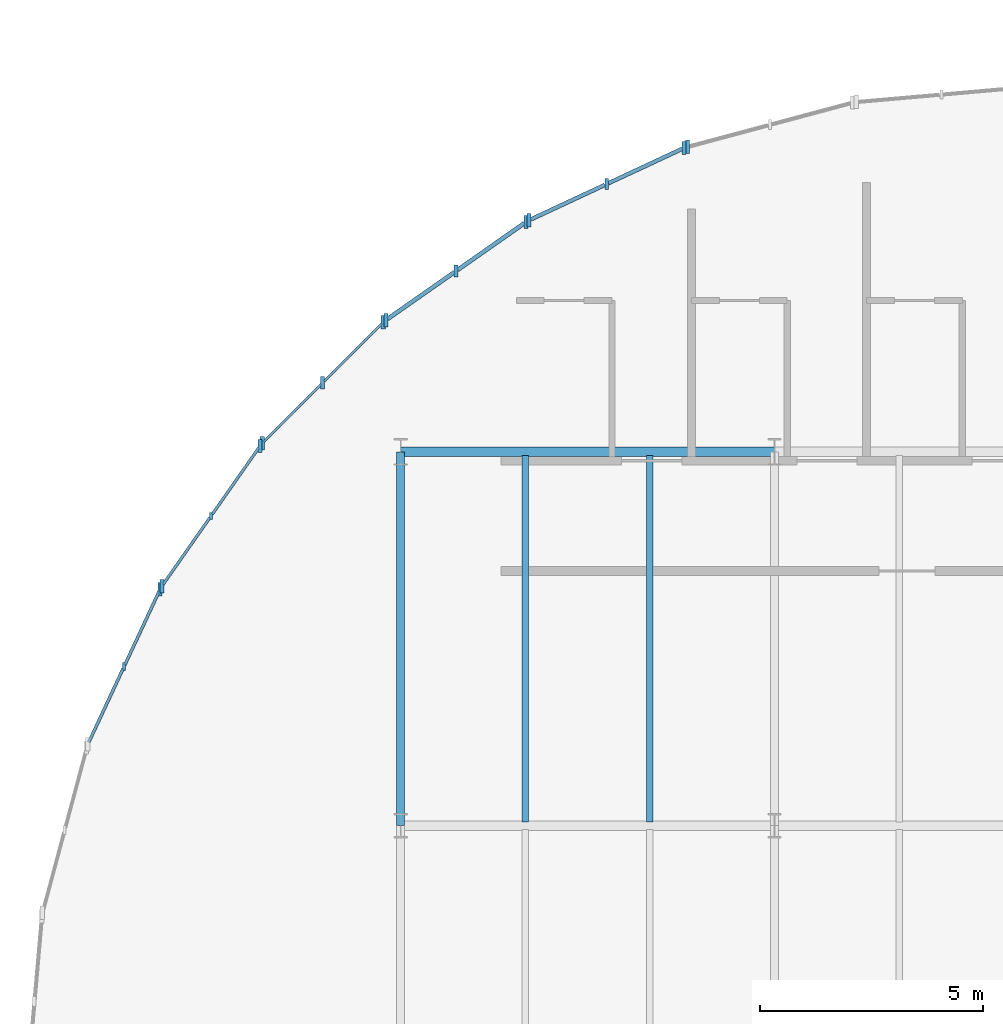
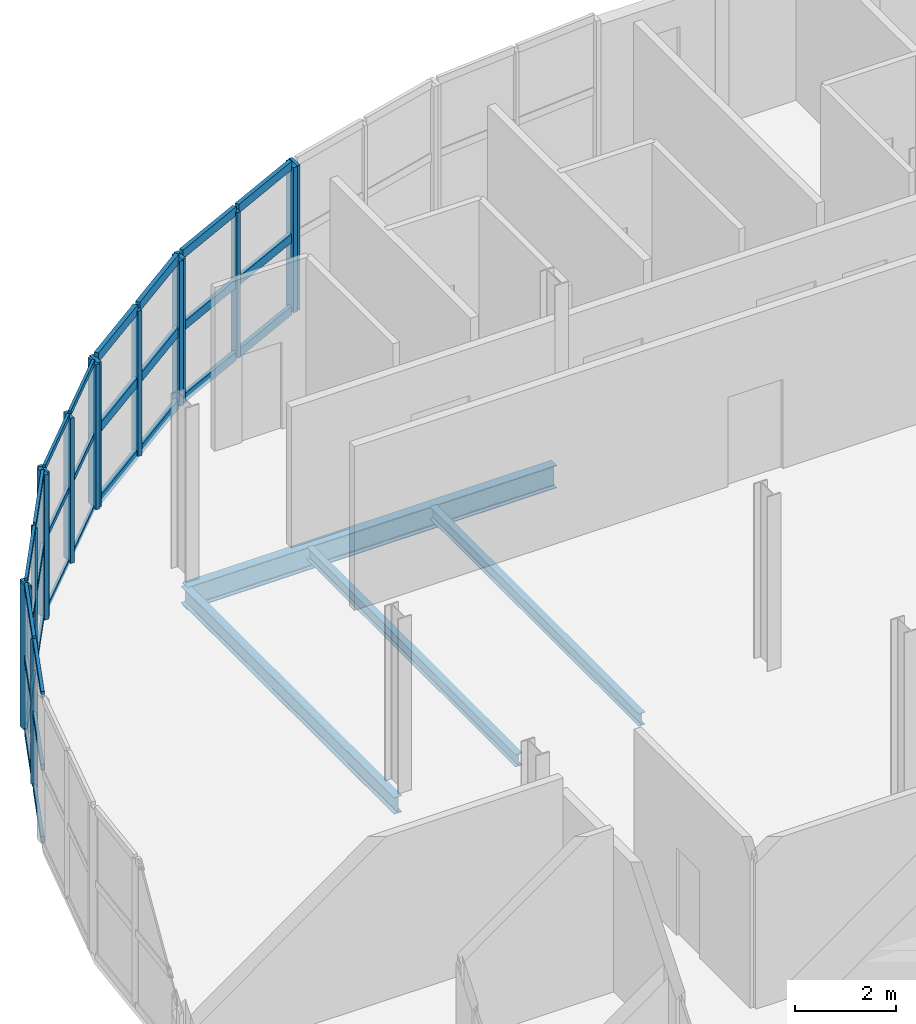
# One storey, part 15 of 45: 45 members, 4 beams, 6 elements without a shape of their own.
"""IFC4 building model written with IfcOpenShell, lengths in metres."""

import ifcopenshell
import ifcopenshell.guid

model = None  # the IFC model being written
_history = None  # IfcOwnerHistory: only IFC2X3 demands one
_inside = {}  # id of a spatial element -> (the spatial element, [elements in it])
_under = {}  # id of a project, library or spatial element -> (it, [spatial elements below it])
_declared = {}  # id of a project -> (the project, [libraries it declares])
_typed = {}  # id of a type object -> (the type object, [elements of that type])
_made_of = {}  # id of a material, layer set ... -> (it, [elements and type objects made of it])


def new_model(schema):
    """Start an empty IFC model of exactly this schema.

    Asked for "IFC4X3", IfcOpenShell would pick the latest addendum, in which some entities
    have other attributes; the version numbers below select the first issue.
    IFC2X3 requires an IfcOwnerHistory on every rooted entity: one is made here for all.
    """
    global model, _history
    if schema == "IFC4X3":
        model = ifcopenshell.file(schema_version=(4, 3, 0, 0))
    else:
        model = ifcopenshell.file(schema=schema)
    _inside.clear()
    _under.clear()
    _declared.clear()
    _typed.clear()
    _made_of.clear()
    _history = None
    if model.schema == "IFC2X3":
        org = make("IfcOrganization", Name="unknown")
        user = make(
            "IfcPersonAndOrganization",
            ThePerson=make("IfcPerson", FamilyName="unknown"),
            TheOrganization=org,
        )
        app = make(
            "IfcApplication",
            ApplicationDeveloper=org,
            Version="unknown",
            ApplicationFullName="unknown",
            ApplicationIdentifier="unknown",
        )
        _history = make(
            "IfcOwnerHistory",
            OwningUser=user,
            OwningApplication=app,
            ChangeAction="ADDED",
            CreationDate=0,
        )
    return model


def make(cls, **values):
    """One entity of the class cls with the attributes given. An attribute that is None is left unset."""
    return model.create_entity(
        cls, **{name: value for name, value in values.items() if value is not None}
    )


def rooted(cls, **values):
    """An entity with a GlobalId (a new one), such as an element, a storey or a relation."""
    return make(cls, GlobalId=ifcopenshell.guid.new(), OwnerHistory=_history, **values)


def si_unit(unit_type, name, prefix=None):
    """IfcSIUnit, for example si_unit("LENGTHUNIT", "METRE", prefix="MILLI")."""
    return make("IfcSIUnit", UnitType=unit_type, Prefix=prefix, Name=name)


def assignment(units):
    """IfcUnitAssignment: the units of a project."""
    return None if units is None else make("IfcUnitAssignment", Units=units)


def point(xyz):
    """IfcCartesianPoint."""
    return None if xyz is None else make("IfcCartesianPoint", Coordinates=xyz)


def direction(xyz):
    """IfcDirection."""
    return None if xyz is None else make("IfcDirection", DirectionRatios=xyz)


def frame(location, z_axis=None, x_axis=None):
    """IfcAxis2Placement3D, a coordinate frame: its origin and axes. An axis left out is left unset."""
    return make(
        "IfcAxis2Placement3D",
        Location=point(location),
        Axis=direction(z_axis),
        RefDirection=direction(x_axis),
    )


def frame_2d(location, x_axis=None):
    """IfcAxis2Placement2D, a coordinate frame in the plane: its origin and x axis."""
    return make(
        "IfcAxis2Placement2D", Location=point(location), RefDirection=direction(x_axis)
    )


def origin():
    """The frame at (0, 0, 0) with its axes left unset."""
    return frame((0.0, 0.0, 0.0))


def origin_2d():
    """The frame at (0, 0) in the plane with its x axis left unset."""
    return frame_2d((0.0, 0.0))


def place(relative_to, where):
    """IfcLocalPlacement: puts the frame where relative to a parent placement (None: the world)."""
    return make(
        "IfcLocalPlacement", PlacementRelTo=relative_to, RelativePlacement=where
    )


def context(
    kind, dimensions, precision=None, world=None, true_north=None, identifier=None
):
    """IfcGeometricRepresentationContext, for example the 3D "Model" context."""
    return make(
        "IfcGeometricRepresentationContext",
        ContextIdentifier=identifier,
        ContextType=kind,
        CoordinateSpaceDimension=dimensions,
        Precision=precision,
        WorldCoordinateSystem=world,
        TrueNorth=true_north,
    )


def subcontext(parent, identifier, kind, view, scale=None):
    """IfcGeometricRepresentationSubContext, for example "Body" below "Model"."""
    return make(
        "IfcGeometricRepresentationSubContext",
        ContextIdentifier=identifier,
        ContextType=kind,
        ParentContext=parent,
        TargetScale=scale,
        TargetView=view,
    )


def project(units=None, contexts=None):
    """IfcProject with its units and contexts."""
    return rooted(
        "IfcProject",
        Name="project",
        RepresentationContexts=contexts,
        UnitsInContext=assignment(units),
    )


def spatial(cls, under=None, at=None, **own):
    """A site, building, storey or space (cls), placed at a placement, below another one or the project."""
    s = rooted(cls, ObjectPlacement=at, **own)
    if under is not None:
        _under.setdefault(under.id(), (under, []))[1].append(s)
    return s


def profile(cls, at=None, kind="AREA", **sizes):
    """A parametric profile (cls). Its sizes go by their IFC names, for example OverallWidth=200.0."""
    return make(cls, ProfileType=kind, Position=at, **sizes)


def rectangle(**sizes):
    """IfcRectangleProfileDef."""
    return profile("IfcRectangleProfileDef", **sizes)


def i_section(**sizes):
    """IfcIShapeProfileDef."""
    return profile("IfcIShapeProfileDef", **sizes)


def extrude(swept, where, along, depth):
    """IfcExtrudedAreaSolid: the profile swept, set in the frame where, extruded along a direction by depth."""
    return make(
        "IfcExtrudedAreaSolid",
        SweptArea=swept,
        Position=where,
        ExtrudedDirection=direction(along),
        Depth=depth,
    )


def shape(context_of_items, identifier, shape_type, items):
    """IfcShapeRepresentation: the items that make up one representation, for example the "Body"."""
    return make(
        "IfcShapeRepresentation",
        ContextOfItems=context_of_items,
        RepresentationIdentifier=identifier,
        RepresentationType=shape_type,
        Items=items,
    )


def material(Name=None, Category=None):
    """IfcMaterial."""
    return make("IfcMaterial", Name=Name, Category=Category)


def layer(
    of_material, thickness, ventilated=None, Name=None, Category=None, Priority=None
):
    """IfcMaterialLayer: one layer of a wall or slab, of a material (None: an air gap)."""
    return make(
        "IfcMaterialLayer",
        Material=of_material,
        LayerThickness=thickness,
        IsVentilated=ventilated,
        Name=Name,
        Category=Category,
        Priority=Priority,
    )


def layer_set(layers, Name=None):
    """IfcMaterialLayerSet."""
    return make("IfcMaterialLayerSet", MaterialLayers=layers, LayerSetName=Name)


def material_profile(
    of_material, cross_section, Name=None, Category=None, Priority=None
):
    """IfcMaterialProfile: a cross section and its material."""
    return make(
        "IfcMaterialProfile",
        Name=Name,
        Material=of_material,
        Profile=cross_section,
        Priority=Priority,
        Category=Category,
    )


def profile_set(profiles, Name=None, composite=None):
    """IfcMaterialProfileSet."""
    return make(
        "IfcMaterialProfileSet",
        Name=Name,
        MaterialProfiles=profiles,
        CompositeProfile=composite,
    )


def made_of(thing, what):
    """Note that an element or type object is made of a material, layer set ...; save() writes the relation."""
    if what is not None:
        _made_of.setdefault(what.id(), (what, []))[1].append(thing)
    return thing


def type_object(cls, material=None, **own):
    """A type object (cls), such as IfcWallType, which elements share."""
    return made_of(rooted(cls, **own), material)


def element(
    cls,
    number,
    at=None,
    inside=None,
    cuts=None,
    type_object=None,
    material=None,
    context=None,
    identifier="Body",
    shape_type=None,
    held_by="IfcProductDefinitionShape",
    body=None,
    shapes=None,
    **own,
):
    """One element of the class cls, such as IfcWall. Its Tag is "e" and its number.

    at: its placement. inside: the storey or other place that contains it. cuts: it is an
    opening in that element (IfcRelVoidsElement). A single representation is given by context,
    identifier, shape_type and body (its items); several are given by shapes. held_by: the class
    of the entity that holds the representations. save() writes the other relations.
    """
    e = rooted(cls, Tag="e%d" % number, ObjectPlacement=at, **own)
    if body is not None:
        shapes = [shape(context, identifier, shape_type, body)]
    if shapes is not None:
        e.Representation = make(held_by, Representations=shapes)
    if inside is not None:
        _inside.setdefault(inside.id(), (inside, []))[1].append(e)
    if cuts is not None:
        rooted(
            "IfcRelVoidsElement", RelatingBuildingElement=cuts, RelatedOpeningElement=e
        )
    if type_object is not None:
        _typed.setdefault(type_object.id(), (type_object, []))[1].append(e)
    return made_of(e, material)


def aggregate(whole, parts):
    """IfcRelAggregates: a whole, such as a stair, and the parts it consists of."""
    return rooted("IfcRelAggregates", RelatingObject=whole, RelatedObjects=parts)


def save(model, path):
    """Write the relations noted so far, then the file.

    IfcRelAggregates (storeys below a building ...), IfcRelContainedInSpatialStructure (elements
    in a storey), IfcRelDefinesByType, IfcRelAssociatesMaterial and IfcRelDeclares: one each for
    every whole, place, type object, material and project.
    """
    for whole, parts in _under.values():
        aggregate(whole, parts)
    for where, things in _inside.values():
        rooted(
            "IfcRelContainedInSpatialStructure",
            RelatedElements=things,
            RelatingStructure=where,
        )
    for kind, things in _typed.values():
        rooted("IfcRelDefinesByType", RelatedObjects=things, RelatingType=kind)
    for what, things in _made_of.values():
        rooted("IfcRelAssociatesMaterial", RelatedObjects=things, RelatingMaterial=what)
    for by, libraries in _declared.values():
        rooted("IfcRelDeclares", RelatingContext=by, RelatedDefinitions=libraries)
    model.write(path)


model = new_model("IFC4")

# Units and contexts
model_context = context("Model", 3, precision=1e-05, world=origin(), true_north=direction((0.0, 1.0)))
body_context = subcontext(model_context, "Body", "Model", "MODEL_VIEW")
ifc_project = project(units=[si_unit("LENGTHUNIT", "METRE"), si_unit("AREAUNIT", "SQUARE_METRE"), si_unit("VOLUMEUNIT", "CUBIC_METRE"), si_unit("PLANEANGLEUNIT", "RADIAN"), si_unit("MASSUNIT", "GRAM", prefix="KILO")], contexts=[model_context])

# Site, building, storey
site_placement = place(None, origin())
site = spatial("IfcSite", under=ifc_project, at=site_placement, CompositionType="ELEMENT")
building_placement = place(site_placement, origin())
building = spatial("IfcBuilding", under=site, at=building_placement, Name="Sefraquen Railside Congress Hotel", CompositionType="ELEMENT")
storey_placement = place(building_placement, frame((0.0, 0.0, 20.39990234375)))
storey = spatial("IfcBuildingStorey", under=building, at=storey_placement, Name="L04", CompositionType="ELEMENT", Elevation=20.39990234375)

# Beams
ifc_material_1 = material(Name="Steel S355JR", Category="steel")
ifc_material_profile_1 = material_profile(ifc_material_1, i_section(OverallWidth=0.179931640625, OverallDepth=0.39990234375, WebThickness=0.008544921875, FlangeThickness=0.013427734375, FilletRadius=0.02099609375, at=origin_2d()), Name="IPE 400")
ifc_profile_set_1 = profile_set([ifc_material_profile_1], Name="Steel S355JR")
beam_type_1 = type_object("IfcBeamType", Name="TB-BM-400I", PredefinedType="BEAM", material=ifc_profile_set_1)
beam_1_placement = place(storey_placement, frame((8.39990234375, 101.39990234375, -0.47998046875), z_axis=(0.0, 1.0, 0.0), x_axis=(-1.0, 0.0, 0.0)))
element("IfcBeam", 1, at=beam_1_placement, inside=storey, type_object=beam_type_1, Name="Floor beam BM-L04-1349", PredefinedType="BEAM", context=body_context, shape_type="SweptSolid", body=[
    extrude(i_section(OverallWidth=0.179931640625, OverallDepth=0.39990234375, WebThickness=0.008544921875, FlangeThickness=0.013427734375, FilletRadius=0.02099609375, at=origin_2d()), origin(), (0.0, 0.0, 1.0), 8.400146484375),
])
ifc_material_profile_2 = material_profile(ifc_material_1, i_section(OverallWidth=0.2099609375, OverallDepth=0.550048828125, WebThickness=0.010986328125, FlangeThickness=0.01708984375, FilletRadius=0.02392578125, at=origin_2d()), Name="IPE 550")
ifc_profile_set_2 = profile_set([ifc_material_profile_2], Name="Steel S355JR")
beam_type_2 = type_object("IfcBeamType", Name="TB-GIR-550", PredefinedType="T_BEAM", material=ifc_profile_set_2)
beam_2_placement = place(storey_placement, frame((8.39990234375, 109.800048828125, -0.554931640625), z_axis=(1.0, 0.0, 0.0), x_axis=(0.0, 1.0, 0.0)))
element("IfcBeam", 2, at=beam_2_placement, inside=storey, type_object=beam_type_2, Name="Primary girder BM-L04-1315", PredefinedType="T_BEAM", context=body_context, shape_type="SweptSolid", body=[
    extrude(i_section(OverallWidth=0.2099609375, OverallDepth=0.550048828125, WebThickness=0.010986328125, FlangeThickness=0.01708984375, FilletRadius=0.02392578125, at=origin_2d()), origin(), (0.0, 0.0, 1.0), 8.400146484375),
])
ifc_material_profile_3 = material_profile(ifc_material_1, i_section(OverallWidth=0.14990234375, OverallDepth=0.300048828125, WebThickness=0.007080078125, FlangeThickness=0.0107421875, FilletRadius=0.014892578125, at=origin_2d()), Name="IPE 300")
ifc_profile_set_3 = profile_set([ifc_material_profile_3], Name="Steel S355JR")
beam_type_3 = type_object("IfcBeamType", Name="TB-JST-300", PredefinedType="JOIST", material=ifc_profile_set_3)
for number, where, z_axis, x_axis, name in (
    (3, (11.199951171875, 101.485107421875, -0.429931640625), (0.0, 1.0, 0.0), (-1.0, 0.0, 0.0), "Composite floor joist BM-L04-J0834"),
    (4, (14.0, 101.485107421875, -0.429931640625), (0.0, 1.0, 0.0), (-1.0, 0.0, 0.0), "Composite floor joist BM-L04-J0835"),
):
    element("IfcBeam", number, at=place(storey_placement, frame(where, z_axis=z_axis, x_axis=x_axis)), inside=storey, type_object=beam_type_3, Name=name, PredefinedType="JOIST", context=body_context, shape_type="SweptSolid", body=[
        extrude(i_section(OverallWidth=0.14990234375, OverallDepth=0.300048828125, WebThickness=0.007080078125, FlangeThickness=0.0107421875, FilletRadius=0.014892578125, at=origin_2d()), origin(), (0.0, 0.0, 1.0), 8.22998046875),
    ])

# Curtain wall, member
ifc_material_2 = material(Name="Thermally broken anodised aluminium and low-E double glazing", Category="aluminium")
ifc_layer_1 = layer(ifc_material_2, 0.199951171875)
ifc_layer_set_1 = layer_set([ifc_layer_1], Name="Thermally broken anodised aluminium and low-E double glazing")
curtain_wall_type_1 = type_object("IfcCurtainWallType", Name="TCW-UCW-10", PredefinedType="USERDEFINED", material=ifc_layer_set_1)
curtain_wall_1_placement = place(storey_placement, origin())
curtain_wall_1 = element("IfcCurtainWall", 5, at=curtain_wall_1_placement, inside=storey, type_object=curtain_wall_type_1, Name="Rotunda L04 curved curtain wall facet 6", ObjectType="UNITISED CURTAIN WALL", PredefinedType="USERDEFINED")
ifc_material_3 = material(Name="Thermally broken anodised aluminium 6063-T6", Category="aluminium")
ifc_material_profile_4 = material_profile(ifc_material_3, rectangle(XDim=0.06005859375, YDim=0.159912109375, at=origin_2d()), Name="CWM 60x160")
ifc_profile_set_4 = profile_set([ifc_material_profile_4], Name="Thermally broken anodised aluminium 6063-T6")
member_type_1 = type_object("IfcMemberType", Name="TM-CWM-01", PredefinedType="MULLION", material=ifc_profile_set_4)
member_1_placement = place(storey_placement, frame((4.13916015625, 108.356201171875, 0.0), z_axis=(0.0, 0.0, 1.0), x_axis=(1.0, 0.0, 0.0)))
member_1 = element("IfcMember", 6, at=member_1_placement, type_object=member_type_1, Name="CW-L04-ROT-06 mullion 2", PredefinedType="MULLION", context=body_context, shape_type="SweptSolid", body=[
    extrude(rectangle(XDim=0.06005859375, YDim=0.159912109375, at=origin_2d()), origin(), (0.0, 0.0, 1.0), 3.489990234375),
])

ifc_layer_2 = layer(ifc_material_2, 0.199951171875)
ifc_layer_set_2 = layer_set([ifc_layer_2], Name="Thermally broken anodised aluminium and low-E double glazing")
curtain_wall_type_2 = type_object("IfcCurtainWallType", Name="TCW-UCW-11", PredefinedType="USERDEFINED", material=ifc_layer_set_2)
curtain_wall_2_placement = place(storey_placement, origin())
curtain_wall_2 = element("IfcCurtainWall", 7, at=curtain_wall_2_placement, inside=storey, type_object=curtain_wall_type_2, Name="Rotunda L04 curved curtain wall facet 7", ObjectType="UNITISED CURTAIN WALL", PredefinedType="USERDEFINED")
ifc_material_profile_5 = material_profile(ifc_material_3, rectangle(XDim=0.06494140625, YDim=0.179931640625, at=origin_2d()), Name="CWM 65x180")
ifc_profile_set_5 = profile_set([ifc_material_profile_5], Name="Thermally broken anodised aluminium 6063-T6")
member_type_2 = type_object("IfcMemberType", Name="TM-CWM-02", PredefinedType="MULLION", material=ifc_profile_set_5)
member_2_placement = place(storey_placement, frame((2.185546875, 104.972900390625, 0.0), z_axis=(0.0, 0.0, 1.0), x_axis=(1.0, 0.0, 0.0)))
member_2 = element("IfcMember", 8, at=member_2_placement, type_object=member_type_2, Name="CW-L04-ROT-07 mullion 2", PredefinedType="MULLION", context=body_context, shape_type="SweptSolid", body=[
    extrude(rectangle(XDim=0.06494140625, YDim=0.179931640625, at=origin_2d()), origin(), (0.0, 0.0, 1.0), 3.489990234375),
])

ifc_layer_3 = layer(ifc_material_2, 0.199951171875)
ifc_layer_set_3 = layer_set([ifc_layer_3], Name="Thermally broken anodised aluminium and low-E double glazing")
curtain_wall_type_3 = type_object("IfcCurtainWallType", Name="TCW-UCW-07", PredefinedType="USERDEFINED", material=ifc_layer_set_3)
curtain_wall_3_placement = place(storey_placement, origin())
curtain_wall_3 = element("IfcCurtainWall", 9, at=curtain_wall_3_placement, inside=storey, type_object=curtain_wall_type_3, Name="Rotunda L04 curved curtain wall facet 3", ObjectType="UNITISED CURTAIN WALL", PredefinedType="USERDEFINED")
ifc_material_profile_6 = material_profile(ifc_material_3, rectangle(XDim=0.080078125, YDim=0.239990234375, at=origin_2d()), Name="CWM 80x240")
ifc_profile_set_6 = profile_set([ifc_material_profile_6], Name="Thermally broken anodised aluminium 6063-T6")
member_type_3 = type_object("IfcMemberType", Name="TM-CWM-05", PredefinedType="MULLION", material=ifc_profile_set_6)
member_3_placement = place(storey_placement, frame((13.02734375, 115.814208984375, 0.0), z_axis=(0.0, 0.0, 1.0), x_axis=(1.0, 0.0, 0.0)))
member_3 = element("IfcMember", 10, at=member_3_placement, type_object=member_type_3, Name="CW-L04-ROT-03 mullion 2", PredefinedType="MULLION", context=body_context, shape_type="SweptSolid", body=[
    extrude(rectangle(XDim=0.080078125, YDim=0.239990234375, at=origin_2d()), origin(), (0.0, 0.0, 1.0), 3.489990234375),
])

ifc_layer_4 = layer(ifc_material_2, 0.199951171875)
ifc_layer_set_4 = layer_set([ifc_layer_4], Name="Thermally broken anodised aluminium and low-E double glazing")
curtain_wall_type_4 = type_object("IfcCurtainWallType", Name="TCW-UCW-08", PredefinedType="USERDEFINED", material=ifc_layer_set_4)
curtain_wall_4_placement = place(storey_placement, origin())
curtain_wall_4 = element("IfcCurtainWall", 11, at=curtain_wall_4_placement, inside=storey, type_object=curtain_wall_type_4, Name="Rotunda L04 curved curtain wall facet 4", ObjectType="UNITISED CURTAIN WALL", PredefinedType="USERDEFINED")
ifc_material_profile_7 = material_profile(ifc_material_3, rectangle(XDim=0.0849609375, YDim=0.260009765625, at=origin_2d()), Name="CWM 85x260")
ifc_profile_set_7 = profile_set([ifc_material_profile_7], Name="Thermally broken anodised aluminium 6063-T6")
member_type_4 = type_object("IfcMemberType", Name="TM-CWM-06", PredefinedType="MULLION", material=ifc_profile_set_7)
member_4_placement = place(storey_placement, frame((9.643798828125, 113.86083984375, 0.0), z_axis=(0.0, 0.0, 1.0), x_axis=(1.0, 0.0, 0.0)))
member_4 = element("IfcMember", 12, at=member_4_placement, type_object=member_type_4, Name="CW-L04-ROT-04 mullion 2", PredefinedType="MULLION", context=body_context, shape_type="SweptSolid", body=[
    extrude(rectangle(XDim=0.0849609375, YDim=0.260009765625, at=origin_2d()), origin(), (0.0, 0.0, 1.0), 3.489990234375),
])

ifc_layer_5 = layer(ifc_material_2, 0.199951171875)
ifc_layer_set_5 = layer_set([ifc_layer_5], Name="Thermally broken anodised aluminium and low-E double glazing")
curtain_wall_type_5 = type_object("IfcCurtainWallType", Name="TCW-UCW-09", PredefinedType="USERDEFINED", material=ifc_layer_set_5)
curtain_wall_5_placement = place(storey_placement, origin())
curtain_wall_5 = element("IfcCurtainWall", 13, at=curtain_wall_5_placement, inside=storey, type_object=curtain_wall_type_5, Name="Rotunda L04 curved curtain wall facet 5", ObjectType="UNITISED CURTAIN WALL", PredefinedType="USERDEFINED")
ifc_material_profile_8 = material_profile(ifc_material_3, rectangle(XDim=0.090087890625, YDim=0.280029296875, at=origin_2d()), Name="CWM 90x280")
ifc_profile_set_8 = profile_set([ifc_material_profile_8], Name="Thermally broken anodised aluminium 6063-T6")
member_type_5 = type_object("IfcMemberType", Name="TM-CWM-07", PredefinedType="MULLION", material=ifc_profile_set_8)
member_5_placement = place(storey_placement, frame((6.650634765625, 111.349365234375, 0.0), z_axis=(0.0, 0.0, 1.0), x_axis=(1.0, 0.0, 0.0)))
member_5 = element("IfcMember", 14, at=member_5_placement, type_object=member_type_5, Name="CW-L04-ROT-05 mullion 2", PredefinedType="MULLION", context=body_context, shape_type="SweptSolid", body=[
    extrude(rectangle(XDim=0.090087890625, YDim=0.280029296875, at=origin_2d()), origin(), (0.0, 0.0, 1.0), 3.489990234375),
])

ifc_layer_6 = layer(ifc_material_2, 0.199951171875)
ifc_layer_set_6 = layer_set([ifc_layer_6], Name="Thermally broken anodised aluminium and low-E double glazing")
curtain_wall_type_6 = type_object("IfcCurtainWallType", Name="TCW-UCW-06", PredefinedType="USERDEFINED", material=ifc_layer_set_6)
curtain_wall_6_placement = place(storey_placement, origin())
curtain_wall_6 = element("IfcCurtainWall", 15, at=curtain_wall_6_placement, inside=storey, type_object=curtain_wall_type_6, Name="Rotunda L04 curved curtain wall facet 2", ObjectType="UNITISED CURTAIN WALL", PredefinedType="USERDEFINED")
ifc_material_profile_9 = material_profile(ifc_material_3, rectangle(XDim=0.094970703125, YDim=0.300048828125, at=origin_2d()), Name="CWM 95x300")
ifc_profile_set_9 = profile_set([ifc_material_profile_9], Name="Thermally broken anodised aluminium 6063-T6")
member_type_6 = type_object("IfcMemberType", Name="TM-CWM-08", PredefinedType="MULLION", material=ifc_profile_set_9)
member_6_placement = place(storey_placement, frame((14.843017578125, 116.653564453125, 0.0), z_axis=(0.0, 0.0, 1.0), x_axis=(1.0, 0.0, 0.0)))
member_6 = element("IfcMember", 16, at=member_6_placement, type_object=member_type_6, Name="CW-L04-ROT-02 mullion 3", PredefinedType="MULLION", context=body_context, shape_type="SweptSolid", body=[
    extrude(rectangle(XDim=0.094970703125, YDim=0.300048828125, at=origin_2d()), origin(), (0.0, 0.0, 1.0), 3.489990234375),
])
aggregate(curtain_wall_6, [member_6])

# Member
member_7_placement = place(storey_placement, frame((14.768310546875, 116.626220703125, 0.0), z_axis=(0.0, 0.0, 1.0), x_axis=(1.0, 0.0, 0.0)))
member_7 = element("IfcMember", 17, at=member_7_placement, type_object=member_type_6, Name="CW-L04-ROT-03 mullion 1", PredefinedType="MULLION", context=body_context, shape_type="SweptSolid", body=[
    extrude(rectangle(XDim=0.094970703125, YDim=0.300048828125, at=origin_2d()), origin(), (0.0, 0.0, 1.0), 3.489990234375),
])

member_8_placement = place(storey_placement, frame((11.286376953125, 115.00244140625, 0.0), z_axis=(0.0, 0.0, 1.0), x_axis=(1.0, 0.0, 0.0)))
member_8 = element("IfcMember", 18, at=member_8_placement, type_object=member_type_6, Name="CW-L04-ROT-03 mullion 3", PredefinedType="MULLION", context=body_context, shape_type="SweptSolid", body=[
    extrude(rectangle(XDim=0.094970703125, YDim=0.300048828125, at=origin_2d()), origin(), (0.0, 0.0, 1.0), 3.489990234375),
])

member_9_placement = place(storey_placement, frame((11.21728515625, 114.962646484375, 0.0), z_axis=(0.0, 0.0, 1.0), x_axis=(1.0, 0.0, 0.0)))
member_9 = element("IfcMember", 19, at=member_9_placement, type_object=member_type_6, Name="CW-L04-ROT-04 mullion 1", PredefinedType="MULLION", context=body_context, shape_type="SweptSolid", body=[
    extrude(rectangle(XDim=0.094970703125, YDim=0.300048828125, at=origin_2d()), origin(), (0.0, 0.0, 1.0), 3.489990234375),
])

member_10_placement = place(storey_placement, frame((8.070068359375, 112.7587890625, 0.0), z_axis=(0.0, 0.0, 1.0), x_axis=(1.0, 0.0, 0.0)))
member_10 = element("IfcMember", 20, at=member_10_placement, type_object=member_type_6, Name="CW-L04-ROT-04 mullion 3", PredefinedType="MULLION", context=body_context, shape_type="SweptSolid", body=[
    extrude(rectangle(XDim=0.094970703125, YDim=0.300048828125, at=origin_2d()), origin(), (0.0, 0.0, 1.0), 3.489990234375),
])

member_11_placement = place(storey_placement, frame((8.009033203125, 112.707763671875, 0.0), z_axis=(0.0, 0.0, 1.0), x_axis=(1.0, 0.0, 0.0)))
member_11 = element("IfcMember", 21, at=member_11_placement, type_object=member_type_6, Name="CW-L04-ROT-05 mullion 1", PredefinedType="MULLION", context=body_context, shape_type="SweptSolid", body=[
    extrude(rectangle(XDim=0.094970703125, YDim=0.300048828125, at=origin_2d()), origin(), (0.0, 0.0, 1.0), 3.489990234375),
])

member_12_placement = place(storey_placement, frame((5.292236328125, 109.990966796875, 0.0), z_axis=(0.0, 0.0, 1.0), x_axis=(1.0, 0.0, 0.0)))
member_12 = element("IfcMember", 22, at=member_12_placement, type_object=member_type_6, Name="CW-L04-ROT-05 mullion 3", PredefinedType="MULLION", context=body_context, shape_type="SweptSolid", body=[
    extrude(rectangle(XDim=0.094970703125, YDim=0.300048828125, at=origin_2d()), origin(), (0.0, 0.0, 1.0), 3.489990234375),
])

member_13_placement = place(storey_placement, frame((5.2412109375, 109.929931640625, 0.0), z_axis=(0.0, 0.0, 1.0), x_axis=(1.0, 0.0, 0.0)))
member_13 = element("IfcMember", 23, at=member_13_placement, type_object=member_type_6, Name="CW-L04-ROT-06 mullion 1", PredefinedType="MULLION", context=body_context, shape_type="SweptSolid", body=[
    extrude(rectangle(XDim=0.094970703125, YDim=0.300048828125, at=origin_2d()), origin(), (0.0, 0.0, 1.0), 3.489990234375),
])

member_14_placement = place(storey_placement, frame((3.037353515625, 106.78271484375, 0.0), z_axis=(0.0, 0.0, 1.0), x_axis=(1.0, 0.0, 0.0)))
member_14 = element("IfcMember", 24, at=member_14_placement, type_object=member_type_6, Name="CW-L04-ROT-06 mullion 3", PredefinedType="MULLION", context=body_context, shape_type="SweptSolid", body=[
    extrude(rectangle(XDim=0.094970703125, YDim=0.300048828125, at=origin_2d()), origin(), (0.0, 0.0, 1.0), 3.489990234375),
])

member_15_placement = place(storey_placement, frame((2.99755859375, 106.713623046875, 0.0), z_axis=(0.0, 0.0, 1.0), x_axis=(1.0, 0.0, 0.0)))
member_15 = element("IfcMember", 25, at=member_15_placement, type_object=member_type_6, Name="CW-L04-ROT-07 mullion 1", PredefinedType="MULLION", context=body_context, shape_type="SweptSolid", body=[
    extrude(rectangle(XDim=0.094970703125, YDim=0.300048828125, at=origin_2d()), origin(), (0.0, 0.0, 1.0), 3.489990234375),
])

ifc_material_profile_10 = material_profile(ifc_material_3, rectangle(XDim=0.06005859375, YDim=0.1201171875, at=origin_2d()), Name="CWT 60x120")
ifc_profile_set_10 = profile_set([ifc_material_profile_10], Name="Thermally broken anodised aluminium 6063-T6")
member_type_7 = type_object("IfcMemberType", Name="TM-CWT-01", PredefinedType="USERDEFINED", material=ifc_profile_set_10)
member_16_placement = place(storey_placement, frame((7.977294921875, 112.67578125, 0.0), z_axis=(-0.707106781187, -0.707106781187, 0.0), x_axis=(0.707106781187, -0.707106781187, 0.0)))
member_16 = element("IfcMember", 26, at=member_16_placement, type_object=member_type_7, Name="CW-L04-ROT-05 transom 1.1", ObjectType="TRANSOM", PredefinedType="USERDEFINED", context=body_context, shape_type="SweptSolid", body=[
    extrude(rectangle(XDim=0.06005859375, YDim=0.1201171875, at=origin_2d()), origin(), (0.0, 0.0, 1.0), 1.8310546875),
])

member_17_placement = place(storey_placement, frame((6.618896484375, 111.3173828125, 0.0), z_axis=(-0.707106781187, -0.707106781187, 0.0), x_axis=(0.707106781187, -0.707106781187, 0.0)))
member_17 = element("IfcMember", 27, at=member_17_placement, type_object=member_type_7, Name="CW-L04-ROT-05 transom 1.2", ObjectType="TRANSOM", PredefinedType="USERDEFINED", context=body_context, shape_type="SweptSolid", body=[
    extrude(rectangle(XDim=0.06005859375, YDim=0.1201171875, at=origin_2d()), origin(), (0.0, 0.0, 1.0), 1.8310546875),
])

member_18_placement = place(storey_placement, frame((7.977294921875, 112.67578125, 1.7451171875), z_axis=(-0.707106781187, -0.707106781187, 0.0), x_axis=(0.707106781187, -0.707106781187, 0.0)))
member_18 = element("IfcMember", 28, at=member_18_placement, type_object=member_type_7, Name="CW-L04-ROT-05 transom 2.1", ObjectType="TRANSOM", PredefinedType="USERDEFINED", context=body_context, shape_type="SweptSolid", body=[
    extrude(rectangle(XDim=0.06005859375, YDim=0.1201171875, at=origin_2d()), origin(), (0.0, 0.0, 1.0), 1.8310546875),
])

member_19_placement = place(storey_placement, frame((6.618896484375, 111.3173828125, 1.7451171875), z_axis=(-0.707106781187, -0.707106781187, 0.0), x_axis=(0.707106781187, -0.707106781187, 0.0)))
member_19 = element("IfcMember", 29, at=member_19_placement, type_object=member_type_7, Name="CW-L04-ROT-05 transom 2.2", ObjectType="TRANSOM", PredefinedType="USERDEFINED", context=body_context, shape_type="SweptSolid", body=[
    extrude(rectangle(XDim=0.06005859375, YDim=0.1201171875, at=origin_2d()), origin(), (0.0, 0.0, 1.0), 1.8310546875),
])

member_20_placement = place(storey_placement, frame((7.977294921875, 112.67578125, 3.489990234375), z_axis=(-0.707106781187, -0.707106781187, 0.0), x_axis=(0.707106781187, -0.707106781187, 0.0)))
member_20 = element("IfcMember", 30, at=member_20_placement, type_object=member_type_7, Name="CW-L04-ROT-05 transom 3.1", ObjectType="TRANSOM", PredefinedType="USERDEFINED", context=body_context, shape_type="SweptSolid", body=[
    extrude(rectangle(XDim=0.06005859375, YDim=0.1201171875, at=origin_2d()), origin(), (0.0, 0.0, 1.0), 1.8310546875),
])

member_21_placement = place(storey_placement, frame((6.618896484375, 111.3173828125, 3.489990234375), z_axis=(-0.707106781187, -0.707106781187, 0.0), x_axis=(0.707106781187, -0.707106781187, 0.0)))
member_21 = element("IfcMember", 31, at=member_21_placement, type_object=member_type_7, Name="CW-L04-ROT-05 transom 3.2", ObjectType="TRANSOM", PredefinedType="USERDEFINED", context=body_context, shape_type="SweptSolid", body=[
    extrude(rectangle(XDim=0.06005859375, YDim=0.1201171875, at=origin_2d()), origin(), (0.0, 0.0, 1.0), 1.8310546875),
])

aggregate(curtain_wall_5, [member_11, member_5, member_12, member_16, member_17, member_18, member_19, member_20, member_21])

ifc_material_profile_11 = material_profile(ifc_material_3, rectangle(XDim=0.06494140625, YDim=0.135009765625, at=origin_2d()), Name="CWT 65x135")
ifc_profile_set_11 = profile_set([ifc_material_profile_11], Name="Thermally broken anodised aluminium 6063-T6")
member_type_8 = type_object("IfcMemberType", Name="TM-CWT-02", PredefinedType="USERDEFINED", material=ifc_profile_set_11)
member_22_placement = place(storey_placement, frame((5.21533203125, 109.89306640625, 0.0), z_axis=(-0.573632363976, -0.819112880499, 0.0), x_axis=(0.819112880499, -0.573632363976, 0.0)))
member_22 = element("IfcMember", 32, at=member_22_placement, type_object=member_type_8, Name="CW-L04-ROT-06 transom 1.1", ObjectType="TRANSOM", PredefinedType="USERDEFINED", context=body_context, shape_type="SweptSolid", body=[
    extrude(rectangle(XDim=0.06494140625, YDim=0.135009765625, at=origin_2d()), origin(), (0.0, 0.0, 1.0), 1.8310546875),
])

member_23_placement = place(storey_placement, frame((4.11328125, 108.319580078125, 0.0), z_axis=(-0.573480241742, -0.819219392063, 0.0), x_axis=(0.819219392063, -0.573480241742, 0.0)))
member_23 = element("IfcMember", 33, at=member_23_placement, type_object=member_type_8, Name="CW-L04-ROT-06 transom 1.2", ObjectType="TRANSOM", PredefinedType="USERDEFINED", context=body_context, shape_type="SweptSolid", body=[
    extrude(rectangle(XDim=0.06494140625, YDim=0.135009765625, at=origin_2d()), origin(), (0.0, 0.0, 1.0), 1.8310546875),
])

member_24_placement = place(storey_placement, frame((5.21533203125, 109.89306640625, 1.7451171875), z_axis=(-0.573632363976, -0.819112880499, 0.0), x_axis=(0.819112880499, -0.573632363976, 0.0)))
member_24 = element("IfcMember", 34, at=member_24_placement, type_object=member_type_8, Name="CW-L04-ROT-06 transom 2.1", ObjectType="TRANSOM", PredefinedType="USERDEFINED", context=body_context, shape_type="SweptSolid", body=[
    extrude(rectangle(XDim=0.06494140625, YDim=0.135009765625, at=origin_2d()), origin(), (0.0, 0.0, 1.0), 1.8310546875),
])

member_25_placement = place(storey_placement, frame((4.11328125, 108.319580078125, 1.7451171875), z_axis=(-0.573480241742, -0.819219392063, 0.0), x_axis=(0.819219392063, -0.573480241742, 0.0)))
member_25 = element("IfcMember", 35, at=member_25_placement, type_object=member_type_8, Name="CW-L04-ROT-06 transom 2.2", ObjectType="TRANSOM", PredefinedType="USERDEFINED", context=body_context, shape_type="SweptSolid", body=[
    extrude(rectangle(XDim=0.06494140625, YDim=0.135009765625, at=origin_2d()), origin(), (0.0, 0.0, 1.0), 1.8310546875),
])

member_26_placement = place(storey_placement, frame((5.21533203125, 109.89306640625, 3.489990234375), z_axis=(-0.573632363976, -0.819112880499, 0.0), x_axis=(0.819112880499, -0.573632363976, 0.0)))
member_26 = element("IfcMember", 36, at=member_26_placement, type_object=member_type_8, Name="CW-L04-ROT-06 transom 3.1", ObjectType="TRANSOM", PredefinedType="USERDEFINED", context=body_context, shape_type="SweptSolid", body=[
    extrude(rectangle(XDim=0.06494140625, YDim=0.135009765625, at=origin_2d()), origin(), (0.0, 0.0, 1.0), 1.8310546875),
])

member_27_placement = place(storey_placement, frame((4.11328125, 108.319580078125, 3.489990234375), z_axis=(-0.573480241742, -0.819219392063, 0.0), x_axis=(0.819219392063, -0.573480241742, 0.0)))
member_27 = element("IfcMember", 37, at=member_27_placement, type_object=member_type_8, Name="CW-L04-ROT-06 transom 3.2", ObjectType="TRANSOM", PredefinedType="USERDEFINED", context=body_context, shape_type="SweptSolid", body=[
    extrude(rectangle(XDim=0.06494140625, YDim=0.135009765625, at=origin_2d()), origin(), (0.0, 0.0, 1.0), 1.8310546875),
])

aggregate(curtain_wall_1, [member_13, member_1, member_14, member_22, member_23, member_24, member_25, member_26, member_27])

ifc_material_profile_12 = material_profile(ifc_material_3, rectangle(XDim=0.070068359375, YDim=0.14990234375, at=origin_2d()), Name="CWT 70x150")
ifc_profile_set_12 = profile_set([ifc_material_profile_12], Name="Thermally broken anodised aluminium 6063-T6")
member_type_9 = type_object("IfcMemberType", Name="TM-CWT-03", PredefinedType="USERDEFINED", material=ifc_profile_set_12)
member_28_placement = place(storey_placement, frame((2.978515625, 106.6728515625, 0.0), z_axis=(-0.422673771403, -0.906281900386, 0.0), x_axis=(0.906281900386, -0.422673771403, 0.0)))
member_28 = element("IfcMember", 38, at=member_28_placement, type_object=member_type_9, Name="CW-L04-ROT-07 transom 1.1", ObjectType="TRANSOM", PredefinedType="USERDEFINED", context=body_context, shape_type="SweptSolid", body=[
    extrude(rectangle(XDim=0.070068359375, YDim=0.14990234375, at=origin_2d()), origin(), (0.0, 0.0, 1.0), 1.8310546875),
])

member_29_placement = place(storey_placement, frame((2.166748046875, 104.931884765625, 0.0), z_axis=(-0.422724852641, -0.906258075252, 0.0), x_axis=(0.906258075252, -0.422724852641, 0.0)))
member_29 = element("IfcMember", 39, at=member_29_placement, type_object=member_type_9, Name="CW-L04-ROT-07 transom 1.2", ObjectType="TRANSOM", PredefinedType="USERDEFINED", context=body_context, shape_type="SweptSolid", body=[
    extrude(rectangle(XDim=0.070068359375, YDim=0.14990234375, at=origin_2d()), origin(), (0.0, 0.0, 1.0), 1.830810546875),
])

member_30_placement = place(storey_placement, frame((2.978515625, 106.6728515625, 1.7451171875), z_axis=(-0.422673771403, -0.906281900386, 0.0), x_axis=(0.906281900386, -0.422673771403, 0.0)))
member_30 = element("IfcMember", 40, at=member_30_placement, type_object=member_type_9, Name="CW-L04-ROT-07 transom 2.1", ObjectType="TRANSOM", PredefinedType="USERDEFINED", context=body_context, shape_type="SweptSolid", body=[
    extrude(rectangle(XDim=0.070068359375, YDim=0.14990234375, at=origin_2d()), origin(), (0.0, 0.0, 1.0), 1.8310546875),
])

member_31_placement = place(storey_placement, frame((2.166748046875, 104.931884765625, 1.7451171875), z_axis=(-0.422724852641, -0.906258075252, 0.0), x_axis=(0.906258075252, -0.422724852641, 0.0)))
member_31 = element("IfcMember", 41, at=member_31_placement, type_object=member_type_9, Name="CW-L04-ROT-07 transom 2.2", ObjectType="TRANSOM", PredefinedType="USERDEFINED", context=body_context, shape_type="SweptSolid", body=[
    extrude(rectangle(XDim=0.070068359375, YDim=0.14990234375, at=origin_2d()), origin(), (0.0, 0.0, 1.0), 1.830810546875),
])

member_32_placement = place(storey_placement, frame((2.978515625, 106.6728515625, 3.489990234375), z_axis=(-0.422673771403, -0.906281900386, 0.0), x_axis=(0.906281900386, -0.422673771403, 0.0)))
member_32 = element("IfcMember", 42, at=member_32_placement, type_object=member_type_9, Name="CW-L04-ROT-07 transom 3.1", ObjectType="TRANSOM", PredefinedType="USERDEFINED", context=body_context, shape_type="SweptSolid", body=[
    extrude(rectangle(XDim=0.070068359375, YDim=0.14990234375, at=origin_2d()), origin(), (0.0, 0.0, 1.0), 1.8310546875),
])

member_33_placement = place(storey_placement, frame((2.166748046875, 104.931884765625, 3.489990234375), z_axis=(-0.422724852641, -0.906258075252, 0.0), x_axis=(0.906258075252, -0.422724852641, 0.0)))
member_33 = element("IfcMember", 43, at=member_33_placement, type_object=member_type_9, Name="CW-L04-ROT-07 transom 3.2", ObjectType="TRANSOM", PredefinedType="USERDEFINED", context=body_context, shape_type="SweptSolid", body=[
    extrude(rectangle(XDim=0.070068359375, YDim=0.14990234375, at=origin_2d()), origin(), (0.0, 0.0, 1.0), 1.830810546875),
])

aggregate(curtain_wall_2, [member_15, member_2, member_28, member_29, member_30, member_31, member_32, member_33])

ifc_material_profile_13 = material_profile(ifc_material_3, rectangle(XDim=0.090087890625, YDim=0.2099609375, at=origin_2d()), Name="CWT 90x210")
ifc_profile_set_13 = profile_set([ifc_material_profile_13], Name="Thermally broken anodised aluminium 6063-T6")
member_type_10 = type_object("IfcMemberType", Name="TM-CWT-07", PredefinedType="USERDEFINED", material=ifc_profile_set_13)
member_34_placement = place(storey_placement, frame((14.727294921875, 116.607177734375, 0.0), z_axis=(-0.906309158253, -0.422615321145, 0.0), x_axis=(0.422615321145, -0.906309158253, 0.0)))
member_34 = element("IfcMember", 44, at=member_34_placement, type_object=member_type_10, Name="CW-L04-ROT-03 transom 1.1", ObjectType="TRANSOM", PredefinedType="USERDEFINED", context=body_context, shape_type="SweptSolid", body=[
    extrude(rectangle(XDim=0.090087890625, YDim=0.2099609375, at=origin_2d()), origin(), (0.0, 0.0, 1.0), 1.830810546875),
])

member_35_placement = place(storey_placement, frame((12.986572265625, 115.79541015625, 0.0), z_axis=(-0.906281900386, -0.422673771403, 0.0), x_axis=(0.422673771403, -0.906281900386, 0.0)))
member_35 = element("IfcMember", 45, at=member_35_placement, type_object=member_type_10, Name="CW-L04-ROT-03 transom 1.2", ObjectType="TRANSOM", PredefinedType="USERDEFINED", context=body_context, shape_type="SweptSolid", body=[
    extrude(rectangle(XDim=0.090087890625, YDim=0.2099609375, at=origin_2d()), origin(), (0.0, 0.0, 1.0), 1.8310546875),
])

member_36_placement = place(storey_placement, frame((14.727294921875, 116.607177734375, 1.7451171875), z_axis=(-0.906309158253, -0.422615321145, 0.0), x_axis=(0.422615321145, -0.906309158253, 0.0)))
member_36 = element("IfcMember", 46, at=member_36_placement, type_object=member_type_10, Name="CW-L04-ROT-03 transom 2.1", ObjectType="TRANSOM", PredefinedType="USERDEFINED", context=body_context, shape_type="SweptSolid", body=[
    extrude(rectangle(XDim=0.090087890625, YDim=0.2099609375, at=origin_2d()), origin(), (0.0, 0.0, 1.0), 1.830810546875),
])

member_37_placement = place(storey_placement, frame((12.986572265625, 115.79541015625, 1.7451171875), z_axis=(-0.906281900386, -0.422673771403, 0.0), x_axis=(0.422673771403, -0.906281900386, 0.0)))
member_37 = element("IfcMember", 47, at=member_37_placement, type_object=member_type_10, Name="CW-L04-ROT-03 transom 2.2", ObjectType="TRANSOM", PredefinedType="USERDEFINED", context=body_context, shape_type="SweptSolid", body=[
    extrude(rectangle(XDim=0.090087890625, YDim=0.2099609375, at=origin_2d()), origin(), (0.0, 0.0, 1.0), 1.8310546875),
])

member_38_placement = place(storey_placement, frame((14.727294921875, 116.607177734375, 3.489990234375), z_axis=(-0.906309158253, -0.422615321145, 0.0), x_axis=(0.422615321145, -0.906309158253, 0.0)))
member_38 = element("IfcMember", 48, at=member_38_placement, type_object=member_type_10, Name="CW-L04-ROT-03 transom 3.1", ObjectType="TRANSOM", PredefinedType="USERDEFINED", context=body_context, shape_type="SweptSolid", body=[
    extrude(rectangle(XDim=0.090087890625, YDim=0.2099609375, at=origin_2d()), origin(), (0.0, 0.0, 1.0), 1.830810546875),
])

member_39_placement = place(storey_placement, frame((12.986572265625, 115.79541015625, 3.489990234375), z_axis=(-0.906281900386, -0.422673771403, 0.0), x_axis=(0.422673771403, -0.906281900386, 0.0)))
member_39 = element("IfcMember", 49, at=member_39_placement, type_object=member_type_10, Name="CW-L04-ROT-03 transom 3.2", ObjectType="TRANSOM", PredefinedType="USERDEFINED", context=body_context, shape_type="SweptSolid", body=[
    extrude(rectangle(XDim=0.090087890625, YDim=0.2099609375, at=origin_2d()), origin(), (0.0, 0.0, 1.0), 1.8310546875),
])

aggregate(curtain_wall_3, [member_7, member_3, member_8, member_34, member_35, member_36, member_37, member_38, member_39])

ifc_material_profile_14 = material_profile(ifc_material_3, rectangle(XDim=0.094970703125, YDim=0.22509765625, at=origin_2d()), Name="CWT 95x225")
ifc_profile_set_14 = profile_set([ifc_material_profile_14], Name="Thermally broken anodised aluminium 6063-T6")
member_type_11 = type_object("IfcMemberType", Name="TM-CWT-08", PredefinedType="USERDEFINED", material=ifc_profile_set_14)
member_40_placement = place(storey_placement, frame((11.180419921875, 114.93701171875, 0.0), z_axis=(-0.819156749665, -0.573569716318, 0.0), x_axis=(0.573569716318, -0.819156749665, 0.0)))
member_40 = element("IfcMember", 50, at=member_40_placement, type_object=member_type_11, Name="CW-L04-ROT-04 transom 1.1", ObjectType="TRANSOM", PredefinedType="USERDEFINED", context=body_context, shape_type="SweptSolid", body=[
    extrude(rectangle(XDim=0.094970703125, YDim=0.22509765625, at=origin_2d()), origin(), (0.0, 0.0, 1.0), 1.8310546875),
])

member_41_placement = place(storey_placement, frame((9.606689453125, 113.8349609375, 0.0), z_axis=(-0.819175533227, -0.573542889209, 0.0), x_axis=(0.573542889209, -0.819175533227, 0.0)))
member_41 = element("IfcMember", 51, at=member_41_placement, type_object=member_type_11, Name="CW-L04-ROT-04 transom 1.2", ObjectType="TRANSOM", PredefinedType="USERDEFINED", context=body_context, shape_type="SweptSolid", body=[
    extrude(rectangle(XDim=0.094970703125, YDim=0.22509765625, at=origin_2d()), origin(), (0.0, 0.0, 1.0), 1.830810546875),
])

member_42_placement = place(storey_placement, frame((11.180419921875, 114.93701171875, 1.7451171875), z_axis=(-0.819156749665, -0.573569716318, 0.0), x_axis=(0.573569716318, -0.819156749665, 0.0)))
member_42 = element("IfcMember", 52, at=member_42_placement, type_object=member_type_11, Name="CW-L04-ROT-04 transom 2.1", ObjectType="TRANSOM", PredefinedType="USERDEFINED", context=body_context, shape_type="SweptSolid", body=[
    extrude(rectangle(XDim=0.094970703125, YDim=0.22509765625, at=origin_2d()), origin(), (0.0, 0.0, 1.0), 1.8310546875),
])

member_43_placement = place(storey_placement, frame((9.606689453125, 113.8349609375, 1.7451171875), z_axis=(-0.819175533227, -0.573542889209, 0.0), x_axis=(0.573542889209, -0.819175533227, 0.0)))
member_43 = element("IfcMember", 53, at=member_43_placement, type_object=member_type_11, Name="CW-L04-ROT-04 transom 2.2", ObjectType="TRANSOM", PredefinedType="USERDEFINED", context=body_context, shape_type="SweptSolid", body=[
    extrude(rectangle(XDim=0.094970703125, YDim=0.22509765625, at=origin_2d()), origin(), (0.0, 0.0, 1.0), 1.830810546875),
])

member_44_placement = place(storey_placement, frame((11.180419921875, 114.93701171875, 3.489990234375), z_axis=(-0.819156749665, -0.573569716318, 0.0), x_axis=(0.573569716318, -0.819156749665, 0.0)))
member_44 = element("IfcMember", 54, at=member_44_placement, type_object=member_type_11, Name="CW-L04-ROT-04 transom 3.1", ObjectType="TRANSOM", PredefinedType="USERDEFINED", context=body_context, shape_type="SweptSolid", body=[
    extrude(rectangle(XDim=0.094970703125, YDim=0.22509765625, at=origin_2d()), origin(), (0.0, 0.0, 1.0), 1.8310546875),
])

member_45_placement = place(storey_placement, frame((9.606689453125, 113.8349609375, 3.489990234375), z_axis=(-0.819175533227, -0.573542889209, 0.0), x_axis=(0.573542889209, -0.819175533227, 0.0)))
member_45 = element("IfcMember", 55, at=member_45_placement, type_object=member_type_11, Name="CW-L04-ROT-04 transom 3.2", ObjectType="TRANSOM", PredefinedType="USERDEFINED", context=body_context, shape_type="SweptSolid", body=[
    extrude(rectangle(XDim=0.094970703125, YDim=0.22509765625, at=origin_2d()), origin(), (0.0, 0.0, 1.0), 1.830810546875),
])

aggregate(curtain_wall_4, [member_9, member_4, member_10, member_40, member_41, member_42, member_43, member_44, member_45])

save(model, "model.ifc")
